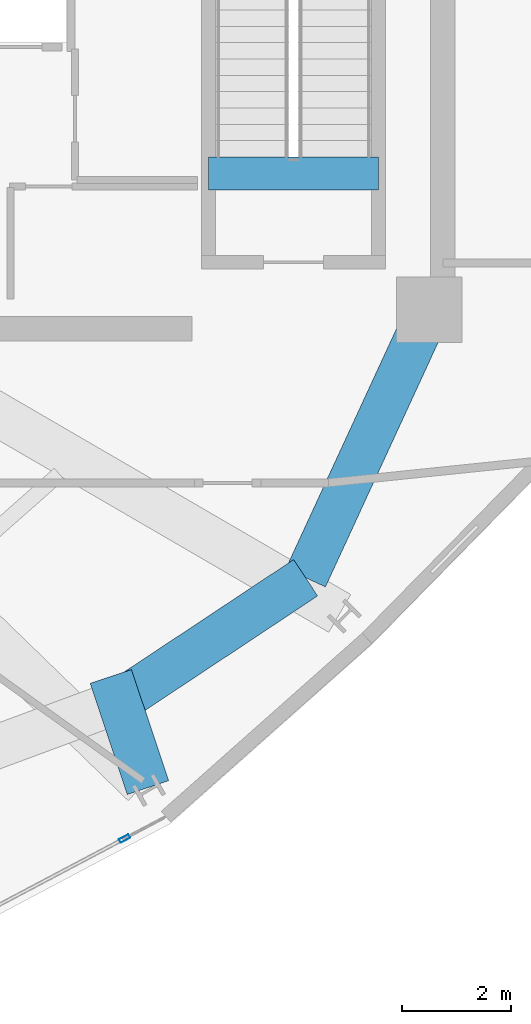
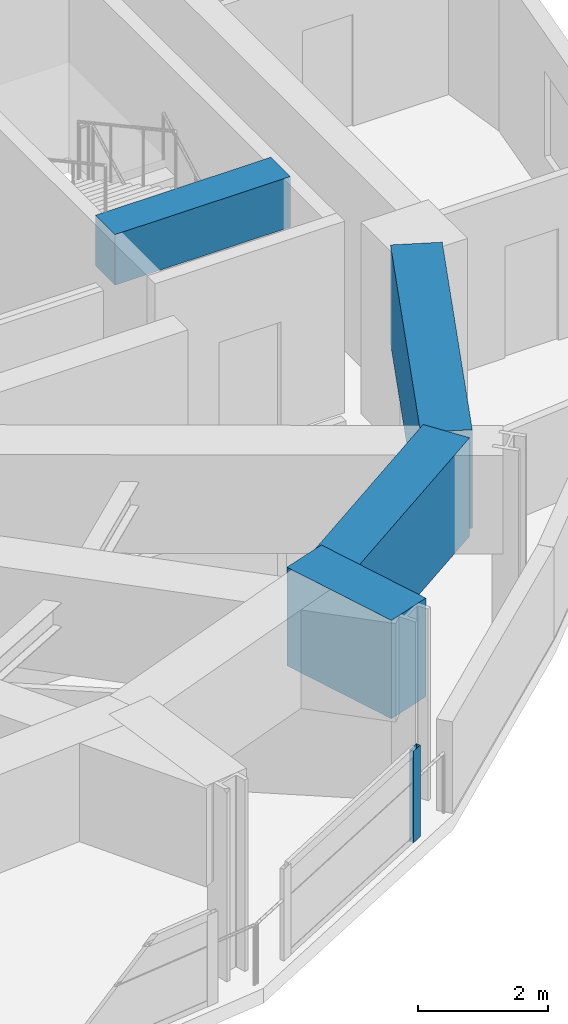
# One storey, part 7 of 21: 4 beams, 1 member, 1 element without a shape of its own.
"""IFC4 building model written with IfcOpenShell, lengths in metres."""

from ifc_helpers import new_model, si_unit, direction, frame, origin, origin_2d, place, context, subcontext, project, spatial, rectangle, hollow_rectangle, extrude, material, layer, layer_set, material_profile, profile_set, type_object, element, aggregate, save


model = new_model("IFC4")

# Units and contexts
model_context = context("Model", 3, precision=1e-05, world=origin(), true_north=direction((0.0, 1.0)))
body_context = subcontext(model_context, "Body", "Model", "MODEL_VIEW")
ifc_project = project(units=[si_unit("LENGTHUNIT", "METRE"), si_unit("AREAUNIT", "SQUARE_METRE"), si_unit("VOLUMEUNIT", "CUBIC_METRE"), si_unit("PLANEANGLEUNIT", "RADIAN"), si_unit("MASSUNIT", "GRAM", prefix="KILO")], contexts=[model_context])

# Site, building, storey
site_placement = place(None, origin())
site = spatial("IfcSite", under=ifc_project, at=site_placement, CompositionType="ELEMENT")
building_placement = place(site_placement, origin())
building = spatial("IfcBuilding", under=site, at=building_placement, Name="Solvane Sanctuary Tower", CompositionType="ELEMENT")
storey_placement = place(building_placement, frame((0.0, 0.0, 256.800048828125)))
storey = spatial("IfcBuildingStorey", under=building, at=storey_placement, Name="L78", CompositionType="ELEMENT", Elevation=256.800048828125)

# Beams
ifc_material_1 = material(Name="Concrete C70/85", Category="concrete")
ifc_material_profile_1 = material_profile(ifc_material_1, rectangle(XDim=0.60009765625, YDim=0.949951171875, at=origin_2d()), Name="RC600X950")
ifc_profile_set_1 = profile_set([ifc_material_profile_1], Name="Concrete C70/85")
beam_type_1 = type_object("IfcBeamType", Name="Beam B-COUPLE RC600X950", PredefinedType="LINTEL", material=ifc_profile_set_1)
beam_1_placement = place(storey_placement, frame((44.64990234375, 19.399169921875, 3.125), z_axis=(1.0, 0.0, 0.0), x_axis=(0.0, 1.0, 0.0)))
element("IfcBeam", 1, at=beam_1_placement, inside=storey, type_object=beam_type_1, Name="L78 ST-2 Stair Floor Landing Trimmer", PredefinedType="LINTEL", context=body_context, shape_type="SweptSolid", body=[
    extrude(rectangle(XDim=0.60009765625, YDim=0.949951171875, at=origin_2d()), origin(), (0.0, 0.0, 1.0), 3.1201171875),
])
ifc_material_profile_2 = material_profile(ifc_material_1, rectangle(XDim=0.800048828125, YDim=1.85009765625, at=origin_2d()), Name="RC800X1850")
ifc_profile_set_2 = profile_set([ifc_material_profile_2], Name="Concrete C70/85")
beam_type_2 = type_object("IfcBeamType", Name="Beam B-XFER-BLK RC800X1850", PredefinedType="BEAM", material=ifc_profile_set_2)
beam_2_placement = place(storey_placement, frame((43.539306640625, 8.133544921875, 2.675048828125), z_axis=(-0.316364028668, 0.948637866293, 0.0), x_axis=(-0.948637866293, -0.316364028668, 0.0)))
element("IfcBeam", 2, at=beam_2_placement, inside=storey, type_object=beam_type_2, Name="L78 Block-Shift Transfer Tie 13B", PredefinedType="BEAM", context=body_context, shape_type="SweptSolid", body=[
    extrude(rectangle(XDim=0.800048828125, YDim=1.85009765625, at=origin_2d()), origin(), (0.0, 0.0, 1.0), 2.14990234375),
])
beam_3_placement = place(storey_placement, frame((43.01220703125, 9.714599609375, 2.675048828125), z_axis=(0.833429471905, 0.552625836674, 0.0), x_axis=(-0.552625836674, 0.833429471905, 0.0)))
element("IfcBeam", 3, at=beam_3_placement, inside=storey, type_object=beam_type_2, Name="L78 Perimeter Step Transfer Ring NTC13-NTC14", PredefinedType="BEAM", context=body_context, shape_type="SweptSolid", body=[
    extrude(rectangle(XDim=0.800048828125, YDim=1.85009765625, at=origin_2d()), origin(), (0.0, 0.0, 1.0), 4.1044921875),
])
beam_4_placement = place(storey_placement, frame((46.43310546875, 11.98291015625, 2.675048828125), z_axis=(0.418684447002, 0.908131782198, 0.0), x_axis=(-0.908131782198, 0.418684447002, 0.0)))
element("IfcBeam", 4, at=beam_4_placement, inside=storey, type_object=beam_type_2, Name="L78 Perimeter Step Transfer Ring NTC14-CE2", PredefinedType="BEAM", context=body_context, shape_type="SweptSolid", body=[
    extrude(rectangle(XDim=0.800048828125, YDim=1.85009765625, at=origin_2d()), origin(), (0.0, 0.0, 1.0), 5.054443359375),
])

# Curtain wall, member
ifc_material_2 = material(Name="Anodised Aluminium 6063-T6", Category="aluminium")
ifc_layer = layer(ifc_material_2, 0.18994140625, Name="Anodised Aluminium 6063-T6")
ifc_layer_set = layer_set([ifc_layer], Name="Anodised Aluminium 6063-T6")
curtain_wall_type = type_object("IfcCurtainWallType", Name="Curtain Wall CW-OPER", PredefinedType="NOTDEFINED", material=ifc_layer_set)
curtain_wall_placement = place(storey_placement, origin())
curtain_wall = element("IfcCurtainWall", 5, at=curtain_wall_placement, inside=storey, type_object=curtain_wall_type, Name="L78 CW-OPER Facade Run 19", PredefinedType="NOTDEFINED")
ifc_material_profile_3 = material_profile(ifc_material_2, hollow_rectangle(XDim=0.074951171875, YDim=0.199951171875, WallThickness=0.00390625, at=origin_2d()), Name="ALU200X75X4")
ifc_profile_set_3 = profile_set([ifc_material_profile_3], Name="Anodised Aluminium 6063-T6")
member_type = type_object("IfcMemberType", Name="Member M-CW-MUL-1 ALU200X75X4", PredefinedType="MULLION", material=ifc_profile_set_3)
member_placement = place(storey_placement, frame((43.112060546875, 7.199951171875, 0.0), z_axis=(0.0, 0.0, 1.0), x_axis=(-0.467523293544, 0.883980752049, 0.0)))
member = element("IfcMember", 6, at=member_placement, type_object=member_type, Name="CW-OPER mullion 2", PredefinedType="MULLION", context=body_context, shape_type="SweptSolid", body=[
    extrude(hollow_rectangle(XDim=0.074951171875, YDim=0.199951171875, WallThickness=0.00390625, at=origin_2d()), origin(), (0.0, 0.0, 1.0), 1.719970703125),
])
aggregate(curtain_wall, [member])

save(model, "model.ifc")
